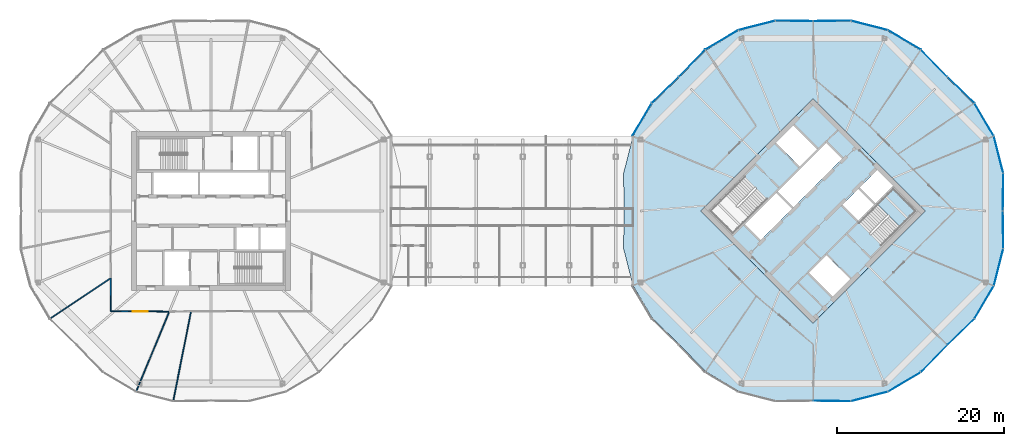
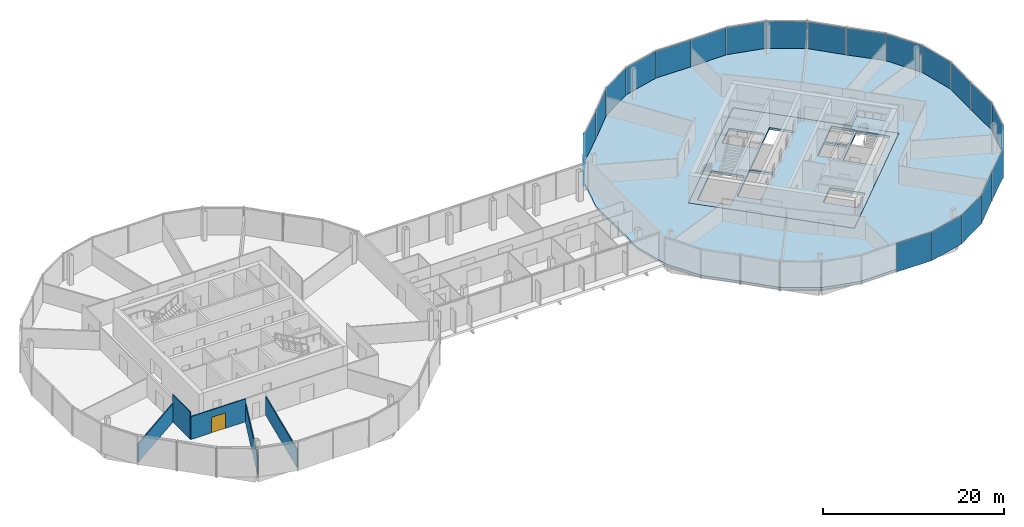
# One storey, part 18 of 25: 22 plates, 5 walls, 3 slabs, 1 door, 1 opening, 7 elements without a shape of their own.
"""IFC4 building model written with IfcOpenShell, lengths in metres."""

from ifc_helpers import new_model, si_unit, direction, frame, frame_2d, origin, origin_2d, place, context, subcontext, project, spatial, polyline, rectangle, outline, extrude, material, layer, layer_set, type_object, element, fill, aggregate, save


model = new_model("IFC4")

# Units and contexts
model_context = context("Model", 3, precision=1e-05, world=origin(), true_north=direction((0.0, 1.0)))
body_context = subcontext(model_context, "Body", "Model", "MODEL_VIEW")
ifc_project = project(units=[si_unit("LENGTHUNIT", "METRE"), si_unit("AREAUNIT", "SQUARE_METRE"), si_unit("VOLUMEUNIT", "CUBIC_METRE"), si_unit("PLANEANGLEUNIT", "RADIAN"), si_unit("MASSUNIT", "GRAM", prefix="KILO")], contexts=[model_context])

# Site, building, storey
site_placement = place(None, origin())
site = spatial("IfcSite", under=ifc_project, at=site_placement, CompositionType="ELEMENT")
building_placement = place(site_placement, origin())
building = spatial("IfcBuilding", under=site, at=building_placement, Name="Ogive Gate Towers", CompositionType="ELEMENT")
storey_placement = place(building_placement, frame((0.0, 0.0, 144.800048828125)))
storey = spatial("IfcBuildingStorey", under=building, at=storey_placement, Name="L34", CompositionType="ELEMENT", Elevation=144.800048828125)

# Slabs
ifc_material_1 = material(Name="Concrete C40/50", Category="concrete")
ifc_layer_1 = layer(ifc_material_1, 0.300048828125)
ifc_layer_set_1 = layer_set([ifc_layer_1], Name="Core slab C40/50 300 mm")
slab_type_1 = type_object("IfcSlabType", Name="Core slab C40/50 300 mm", PredefinedType="FLOOR", material=ifc_layer_set_1)
slab_1_placement = place(storey_placement, frame((0.0, 0.0, -0.300048828125)))
element("IfcSlab", 1, at=slab_1_placement, inside=storey, type_object=slab_type_1, Name="T2 L34 core slab", PredefinedType="FLOOR", context=body_context, shape_type="SweptSolid", body=[
    extrude(outline(polyline([(36.0, -13.43505859375), (22.56494140625, 0.0), (36.0, 13.43505859375), (49.43505859375, 0.0), (36.0, -13.43505859375)]), holes=[polyline([(29.759765625, -3.482421875), (33.50732421875, 0.26513671875), (31.615966796875, 2.15673828125), (27.868408203125, -1.591064453125), (29.759765625, -3.482421875)]), polyline([(31.792724609375, 2.33349609375), (33.68408203125, 0.44189453125), (39.482421875, 6.240234375), (37.591064453125, 8.131591796875), (31.792724609375, 2.33349609375)]), polyline([(41.3916015625, 2.634033203125), (39.517822265625, 0.760009765625), (41.409423828125, -1.13134765625), (43.283203125, 0.742431640625), (41.3916015625, 2.634033203125)]), polyline([(45.563720703125, 3.02294921875), (43.672119140625, 4.914306640625), (41.568603515625, 2.810791015625), (43.4599609375, 0.919189453125), (45.563720703125, 3.02294921875)]), polyline([(34.408935546875, 5.30322265625), (36.4951171875, 7.389404296875), (33.64892578125, 10.2353515625), (31.56298828125, 8.1494140625), (34.408935546875, 5.30322265625)]), polyline([(35.5048828125, -7.389404296875), (38.35107421875, -10.2353515625), (40.43701171875, -8.1494140625), (37.591064453125, -5.30322265625), (35.5048828125, -7.389404296875)]), polyline([(26.40087890625, -2.70458984375), (30.512939453125, 1.406982421875), (27.80810546875, 4.11181640625), (23.6962890625, 0.0), (26.40087890625, -2.70458984375)]), polyline([(48.3037109375, 0.0), (45.59912109375, 2.70458984375), (41.487060546875, -1.406982421875), (44.19189453125, -4.11181640625), (48.3037109375, 0.0)])]), origin(), (0.0, 0.0, 1.0), 0.300048828125),
])
ifc_material_2 = material(Name="Concrete C35/45", Category="concrete")
ifc_layer_2 = layer(ifc_material_2, 0.300048828125)
ifc_layer_set_2 = layer_set([ifc_layer_2], Name="Floor slab 300")
slab_type_2 = type_object("IfcSlabType", Name="Floor slab 300", PredefinedType="FLOOR", material=ifc_layer_set_2)
slab_2_placement = place(storey_placement, frame((0.0, 0.0, -0.300048828125)))
element("IfcSlab", 2, at=slab_2_placement, inside=storey, type_object=slab_type_2, Name="T2/L34/SSL001", PredefinedType="FLOOR", context=body_context, shape_type="SweptSolid", body=[
    extrude(outline(polyline([(58.65625, -4.506591796875), (58.60009765625, 0.0), (58.65625, 4.506591796875), (57.5263671875, 8.91650390625), (55.20703125, 12.833740234375), (51.980712890625, 15.980712890625), (48.833740234375, 19.20703125), (44.91650390625, 21.5263671875), (40.506591796875, 22.65625), (36.0, 22.60009765625), (31.493408203125, 22.65625), (27.08349609375, 21.5263671875), (23.166259765625, 19.20703125), (20.019287109375, 15.980712890625), (16.79296875, 12.833740234375), (14.4736328125, 8.91650390625), (13.34375, 4.506591796875), (13.39990234375, 0.0), (13.34375, -4.506591796875), (14.4736328125, -8.91650390625), (16.79296875, -12.833740234375), (20.019287109375, -15.980712890625), (23.166259765625, -19.20703125), (27.08349609375, -21.5263671875), (31.493408203125, -22.65625), (36.0, -22.60009765625), (40.506591796875, -22.65625), (44.91650390625, -21.5263671875), (48.833740234375, -19.20703125), (51.980712890625, -15.980712890625), (55.20703125, -12.833740234375), (57.5263671875, -8.91650390625), (58.65625, -4.506591796875)]), holes=[polyline([(49.43505859375, 0.0), (36.0, -13.43505859375), (22.56494140625, 0.0), (36.0, 13.43505859375), (49.43505859375, 0.0)])]), origin(), (0.0, 0.0, 1.0), 0.300048828125),
])

# Stair, slab
stair_type = type_object("IfcStairType", Name="Escape stair 1840 wide", PredefinedType="HALF_TURN_STAIR", material=ifc_material_1)
stair_placement = place(storey_placement, origin())
stair = element("IfcStair", 3, at=stair_placement, inside=storey, type_object=stair_type, Name="L34 Escape stair 2", PredefinedType="HALF_TURN_STAIR")
ifc_layer_3 = layer(ifc_material_1, 0.199951171875)
ifc_layer_set_3 = layer_set([ifc_layer_3], Name="Stair landing 200 mm")
slab_type_3 = type_object("IfcSlabType", Name="Stair landing 200 mm", PredefinedType="LANDING", material=ifc_layer_set_3)
slab_3_placement = place(storey_placement, frame((0.0, 0.0, 1.800048828125)))
slab_3 = element("IfcSlab", 4, at=slab_3_placement, type_object=slab_type_3, Name="ST2 landing 1", PredefinedType="LANDING", context=body_context, shape_type="SweptSolid", body=[
    extrude(outline(polyline([(46.413818359375, -1.8896484375), (48.3037109375, 0.0), (45.598876953125, 2.70458984375), (43.709228515625, 0.81494140625), (46.413818359375, -1.8896484375)])), origin(), (0.0, 0.0, 1.0), 0.199951171875),
])
aggregate(stair, [slab_3])

# Curtain wall, plates
ifc_material_3 = material(Name="Pale metal aluminium", Category="aluminium")
curtain_wall_type = type_object("IfcCurtainWallType", Name="Tower unitised wall, high zone", PredefinedType="NOTDEFINED", material=ifc_material_3)
curtain_wall_1_placement = place(storey_placement, origin())
curtain_wall_1 = element("IfcCurtainWall", 5, at=curtain_wall_1_placement, inside=storey, type_object=curtain_wall_type, Name="CW2 T2 ECW01", PredefinedType="NOTDEFINED")
ifc_material_4 = material(Name="Clear glass", Category="glass")
ifc_layer_4 = layer(ifc_material_4, 0.028076171875)
ifc_layer_set_4 = layer_set([ifc_layer_4], Name="Tower unitised wall, high zone glass panel")
plate_type = type_object("IfcPlateType", Name="Tower unitised wall, high zone glass panel", PredefinedType="CURTAIN_PANEL", material=ifc_layer_set_4)
plate_1_placement = place(storey_placement, frame((58.72802734375, 2.25732421875, -0.30029296875), z_axis=(0.0, 0.0, 1.0), x_axis=(0.012461328328, 0.999922354634, 0.0)))
plate_1 = element("IfcPlate", 6, at=plate_1_placement, type_object=plate_type, Name="CW2 glass panel", PredefinedType="CURTAIN_PANEL", context=body_context, shape_type="SweptSolid", body=[
    extrude(rectangle(XDim=4.461181640625, YDim=0.028076171875, at=origin_2d()), origin(), (0.0, 0.0, 1.0), 3.904052734375),
])
plate_2_placement = place(storey_placement, frame((58.18798828125, 6.73681640625, -0.30029296875), z_axis=(0.0, 0.0, 1.0), x_axis=(-0.248165796868, 0.96871757353, 0.0)))
plate_2 = element("IfcPlate", 7, at=plate_2_placement, type_object=plate_type, Name="CW2 glass panel", PredefinedType="CURTAIN_PANEL", context=body_context, shape_type="SweptSolid", body=[
    extrude(rectangle(XDim=4.51806640625, YDim=0.028076171875, at=origin_2d()), origin(), (0.0, 0.0, 1.0), 3.904052734375),
])
plate_3_placement = place(storey_placement, frame((56.452880859375, 10.92578125, -0.30029296875), z_axis=(0.0, 0.0, 1.0), x_axis=(-0.509507047474, 0.860466483121, 0.0)))
plate_3 = element("IfcPlate", 8, at=plate_3_placement, type_object=plate_type, Name="CW2 glass panel", PredefinedType="CURTAIN_PANEL", context=body_context, shape_type="SweptSolid", body=[
    extrude(rectangle(XDim=4.51806640625, YDim=0.028076171875, at=origin_2d()), origin(), (0.0, 0.0, 1.0), 3.904052734375),
])
plate_4_placement = place(storey_placement, frame((53.66748046875, 14.47509765625, -0.30029296875), z_axis=(0.0, 0.0, 1.0), x_axis=(-0.715863367385, 0.698240387858, 0.0)))
plate_4 = element("IfcPlate", 9, at=plate_4_placement, type_object=plate_type, Name="CW2 glass panel", PredefinedType="CURTAIN_PANEL", context=body_context, shape_type="SweptSolid", body=[
    extrude(rectangle(XDim=4.461181640625, YDim=0.028076171875, at=origin_2d()), origin(), (0.0, 0.0, 1.0), 3.904052734375),
])
aggregate(curtain_wall_1, [plate_1, plate_2, plate_3, plate_4])

curtain_wall_2_placement = place(storey_placement, origin())
curtain_wall_2 = element("IfcCurtainWall", 10, at=curtain_wall_2_placement, inside=storey, type_object=curtain_wall_type, Name="CW2 T2 ECW02", PredefinedType="NOTDEFINED")
plate_5_placement = place(storey_placement, frame((50.47509765625, 17.66748046875, -0.30029296875), z_axis=(0.0, 0.0, 1.0), x_axis=(-0.698240387858, 0.715863367385, 0.0)))
plate_5 = element("IfcPlate", 11, at=plate_5_placement, type_object=plate_type, Name="CW2 glass panel", PredefinedType="CURTAIN_PANEL", context=body_context, shape_type="SweptSolid", body=[
    extrude(rectangle(XDim=4.461181640625, YDim=0.028076171875, at=origin_2d()), origin(), (0.0, 0.0, 1.0), 3.904052734375),
])
plate_6_placement = place(storey_placement, frame((46.92578125, 20.452880859375, -0.30029296875), z_axis=(0.0, 0.0, 1.0), x_axis=(-0.860466483121, 0.509507047474, 0.0)))
plate_6 = element("IfcPlate", 12, at=plate_6_placement, type_object=plate_type, Name="CW2 glass panel", PredefinedType="CURTAIN_PANEL", context=body_context, shape_type="SweptSolid", body=[
    extrude(rectangle(XDim=4.51806640625, YDim=0.028076171875, at=origin_2d()), origin(), (0.0, 0.0, 1.0), 3.904052734375),
])
plate_7_placement = place(storey_placement, frame((42.73681640625, 22.18798828125, -0.30029296875), z_axis=(0.0, 0.0, 1.0), x_axis=(-0.96871757353, 0.248165796868, 0.0)))
plate_7 = element("IfcPlate", 13, at=plate_7_placement, type_object=plate_type, Name="CW2 glass panel", PredefinedType="CURTAIN_PANEL", context=body_context, shape_type="SweptSolid", body=[
    extrude(rectangle(XDim=4.51806640625, YDim=0.028076171875, at=origin_2d()), origin(), (0.0, 0.0, 1.0), 3.904052734375),
])
plate_8_placement = place(storey_placement, frame((38.25732421875, 22.72802734375, -0.30029296875), z_axis=(0.0, 0.0, 1.0), x_axis=(-0.999922354634, -0.012461328328, 0.0)))
plate_8 = element("IfcPlate", 14, at=plate_8_placement, type_object=plate_type, Name="CW2 glass panel", PredefinedType="CURTAIN_PANEL", context=body_context, shape_type="SweptSolid", body=[
    extrude(rectangle(XDim=4.461181640625, YDim=0.028076171875, at=origin_2d()), origin(), (0.0, 0.0, 1.0), 3.904052734375),
])
aggregate(curtain_wall_2, [plate_5, plate_6, plate_7, plate_8])

curtain_wall_3_placement = place(storey_placement, origin())
curtain_wall_3 = element("IfcCurtainWall", 15, at=curtain_wall_3_placement, inside=storey, type_object=curtain_wall_type, Name="CW2 T2 ECW03", PredefinedType="NOTDEFINED")
plate_9_placement = place(storey_placement, frame((33.74267578125, 22.72802734375, -0.30029296875), z_axis=(0.0, 0.0, 1.0), x_axis=(-0.999922354634, 0.012461328328, 0.0)))
plate_9 = element("IfcPlate", 16, at=plate_9_placement, type_object=plate_type, Name="CW2 glass panel", PredefinedType="CURTAIN_PANEL", context=body_context, shape_type="SweptSolid", body=[
    extrude(rectangle(XDim=4.461181640625, YDim=0.028076171875, at=origin_2d()), origin(), (0.0, 0.0, 1.0), 3.904052734375),
])
plate_10_placement = place(storey_placement, frame((29.26318359375, 22.18798828125, -0.30029296875), z_axis=(0.0, 0.0, 1.0), x_axis=(-0.96871757353, -0.248165796868, 0.0)))
plate_10 = element("IfcPlate", 17, at=plate_10_placement, type_object=plate_type, Name="CW2 glass panel", PredefinedType="CURTAIN_PANEL", context=body_context, shape_type="SweptSolid", body=[
    extrude(rectangle(XDim=4.51806640625, YDim=0.028076171875, at=origin_2d()), origin(), (0.0, 0.0, 1.0), 3.904052734375),
])
plate_11_placement = place(storey_placement, frame((25.07421875, 20.452880859375, -0.30029296875), z_axis=(0.0, 0.0, 1.0), x_axis=(-0.860466483121, -0.509507047474, 0.0)))
plate_11 = element("IfcPlate", 18, at=plate_11_placement, type_object=plate_type, Name="CW2 glass panel", PredefinedType="CURTAIN_PANEL", context=body_context, shape_type="SweptSolid", body=[
    extrude(rectangle(XDim=4.51806640625, YDim=0.028076171875, at=origin_2d()), origin(), (0.0, 0.0, 1.0), 3.904052734375),
])
plate_12_placement = place(storey_placement, frame((21.52490234375, 17.66748046875, -0.30029296875), z_axis=(0.0, 0.0, 1.0), x_axis=(-0.698240387858, -0.715863367385, 0.0)))
plate_12 = element("IfcPlate", 19, at=plate_12_placement, type_object=plate_type, Name="CW2 glass panel", PredefinedType="CURTAIN_PANEL", context=body_context, shape_type="SweptSolid", body=[
    extrude(rectangle(XDim=4.461181640625, YDim=0.028076171875, at=origin_2d()), origin(), (0.0, 0.0, 1.0), 3.904052734375),
])
aggregate(curtain_wall_3, [plate_9, plate_10, plate_11, plate_12])

curtain_wall_4_placement = place(storey_placement, origin())
curtain_wall_4 = element("IfcCurtainWall", 20, at=curtain_wall_4_placement, inside=storey, type_object=curtain_wall_type, Name="CW2 T2 ECW04", PredefinedType="NOTDEFINED")
plate_13_placement = place(storey_placement, frame((18.33251953125, 14.47509765625, -0.30029296875), z_axis=(0.0, 0.0, 1.0), x_axis=(-0.715863367385, -0.698240387858, 0.0)))
plate_13 = element("IfcPlate", 21, at=plate_13_placement, type_object=plate_type, Name="CW2 glass panel", PredefinedType="CURTAIN_PANEL", context=body_context, shape_type="SweptSolid", body=[
    extrude(rectangle(XDim=4.461181640625, YDim=0.028076171875, at=origin_2d()), origin(), (0.0, 0.0, 1.0), 3.904052734375),
])
plate_14_placement = place(storey_placement, frame((15.546142578125, 10.923828125, -0.30029296875), z_axis=(0.0, 0.0, 1.0), x_axis=(-0.509507047474, -0.860466483121, 0.0)))
plate_14 = element("IfcPlate", 22, at=plate_14_placement, type_object=plate_type, Name="CW2 glass panel", PredefinedType="CURTAIN_PANEL", context=body_context, shape_type="SweptSolid", body=[
    extrude(rectangle(XDim=4.52197265625, YDim=0.028076171875, at=origin_2d()), origin(), (0.0, 0.0, 1.0), 3.904052734375),
])
aggregate(curtain_wall_4, [plate_13, plate_14])

curtain_wall_5_placement = place(storey_placement, origin())
curtain_wall_5 = element("IfcCurtainWall", 23, at=curtain_wall_5_placement, inside=storey, type_object=curtain_wall_type, Name="CW2 T2 ECW07", PredefinedType="NOTDEFINED")
plate_15_placement = place(storey_placement, frame((38.25732421875, -22.72802734375, -0.30029296875), z_axis=(0.0, 0.0, 1.0), x_axis=(0.999922354634, -0.012461328328, 0.0)))
plate_15 = element("IfcPlate", 24, at=plate_15_placement, type_object=plate_type, Name="CW2 glass panel", PredefinedType="CURTAIN_PANEL", context=body_context, shape_type="SweptSolid", body=[
    extrude(rectangle(XDim=4.461181640625, YDim=0.028076171875, at=origin_2d()), origin(), (0.0, 0.0, 1.0), 3.904052734375),
])
plate_16_placement = place(storey_placement, frame((42.73681640625, -22.18798828125, -0.30029296875), z_axis=(0.0, 0.0, 1.0), x_axis=(0.96871757353, 0.248165796868, 0.0)))
plate_16 = element("IfcPlate", 25, at=plate_16_placement, type_object=plate_type, Name="CW2 glass panel", PredefinedType="CURTAIN_PANEL", context=body_context, shape_type="SweptSolid", body=[
    extrude(rectangle(XDim=4.51806640625, YDim=0.028076171875, at=origin_2d()), origin(), (0.0, 0.0, 1.0), 3.904052734375),
])
plate_17_placement = place(storey_placement, frame((46.92578125, -20.452880859375, -0.30029296875), z_axis=(0.0, 0.0, 1.0), x_axis=(0.860466483121, 0.509507047474, 0.0)))
plate_17 = element("IfcPlate", 26, at=plate_17_placement, type_object=plate_type, Name="CW2 glass panel", PredefinedType="CURTAIN_PANEL", context=body_context, shape_type="SweptSolid", body=[
    extrude(rectangle(XDim=4.51806640625, YDim=0.028076171875, at=origin_2d()), origin(), (0.0, 0.0, 1.0), 3.904052734375),
])
plate_18_placement = place(storey_placement, frame((50.47509765625, -17.66748046875, -0.30029296875), z_axis=(0.0, 0.0, 1.0), x_axis=(0.698240387858, 0.715863367385, 0.0)))
plate_18 = element("IfcPlate", 27, at=plate_18_placement, type_object=plate_type, Name="CW2 glass panel", PredefinedType="CURTAIN_PANEL", context=body_context, shape_type="SweptSolid", body=[
    extrude(rectangle(XDim=4.461181640625, YDim=0.028076171875, at=origin_2d()), origin(), (0.0, 0.0, 1.0), 3.904052734375),
])
aggregate(curtain_wall_5, [plate_15, plate_16, plate_17, plate_18])

curtain_wall_6_placement = place(storey_placement, origin())
curtain_wall_6 = element("IfcCurtainWall", 28, at=curtain_wall_6_placement, inside=storey, type_object=curtain_wall_type, Name="CW2 T2 ECW08", PredefinedType="NOTDEFINED")
plate_19_placement = place(storey_placement, frame((53.66748046875, -14.47509765625, -0.30029296875), z_axis=(0.0, 0.0, 1.0), x_axis=(0.715863367385, 0.698240387858, 0.0)))
plate_19 = element("IfcPlate", 29, at=plate_19_placement, type_object=plate_type, Name="CW2 glass panel", PredefinedType="CURTAIN_PANEL", context=body_context, shape_type="SweptSolid", body=[
    extrude(rectangle(XDim=4.461181640625, YDim=0.028076171875, at=origin_2d()), origin(), (0.0, 0.0, 1.0), 3.904052734375),
])
plate_20_placement = place(storey_placement, frame((56.452880859375, -10.92578125, -0.30029296875), z_axis=(0.0, 0.0, 1.0), x_axis=(0.509507047474, 0.860466483121, 0.0)))
plate_20 = element("IfcPlate", 30, at=plate_20_placement, type_object=plate_type, Name="CW2 glass panel", PredefinedType="CURTAIN_PANEL", context=body_context, shape_type="SweptSolid", body=[
    extrude(rectangle(XDim=4.51806640625, YDim=0.028076171875, at=origin_2d()), origin(), (0.0, 0.0, 1.0), 3.904052734375),
])
plate_21_placement = place(storey_placement, frame((58.18798828125, -6.73681640625, -0.30029296875), z_axis=(0.0, 0.0, 1.0), x_axis=(0.248165796868, 0.96871757353, 0.0)))
plate_21 = element("IfcPlate", 31, at=plate_21_placement, type_object=plate_type, Name="CW2 glass panel", PredefinedType="CURTAIN_PANEL", context=body_context, shape_type="SweptSolid", body=[
    extrude(rectangle(XDim=4.51806640625, YDim=0.028076171875, at=origin_2d()), origin(), (0.0, 0.0, 1.0), 3.904052734375),
])
plate_22_placement = place(storey_placement, frame((58.72802734375, -2.25732421875, -0.30029296875), z_axis=(0.0, 0.0, 1.0), x_axis=(-0.012461328328, 0.999922354634, 0.0)))
plate_22 = element("IfcPlate", 32, at=plate_22_placement, type_object=plate_type, Name="CW2 glass panel", PredefinedType="CURTAIN_PANEL", context=body_context, shape_type="SweptSolid", body=[
    extrude(rectangle(XDim=4.461181640625, YDim=0.028076171875, at=origin_2d()), origin(), (0.0, 0.0, 1.0), 3.904052734375),
])
aggregate(curtain_wall_6, [plate_19, plate_20, plate_21, plate_22])

# Walls
ifc_material_5 = material(Name="Gypsum board partition")
ifc_layer_5 = layer(ifc_material_5, 0.125)
ifc_layer_set_5 = layer_set([ifc_layer_5], Name="Partition 125")
wall_type = type_object("IfcWallType", Name="Partition 125", PredefinedType="PARTITIONING", material=ifc_layer_set_5)
wall_1_placement = place(storey_placement, frame((-55.2021484375, -12.83984375, 0.0), z_axis=(0.0, 0.0, 1.0), x_axis=(0.831273554657, 0.555863542002, 0.0)))
element("IfcWall", 33, at=wall_1_placement, inside=storey, type_object=wall_type, Name="Partition T1-L34-008", PredefinedType="PARTITIONING", context=body_context, shape_type="SweptSolid", body=[
    extrude(rectangle(XDim=8.616455078125, YDim=0.125, at=frame_2d((4.30810546875, 0.0))), origin(), (0.0, 0.0, 1.0), 2.5),
])
wall_2_placement = place(storey_placement, frame((-44.91650390625, -21.5263671875, 0.0), z_axis=(0.0, 0.0, 1.0), x_axis=(0.38268525721, 0.923878776634, 0.0)))
element("IfcWall", 34, at=wall_2_placement, inside=storey, type_object=wall_type, Name="Partition T1-L34-009", PredefinedType="PARTITIONING", context=body_context, shape_type="SweptSolid", body=[
    extrude(rectangle(XDim=10.21630859375, YDim=0.125, at=frame_2d((5.108154296875, 0.0))), origin(), (0.0, 0.0, 1.0), 2.5),
])
wall_3_placement = place(storey_placement, frame((-40.498779296875, -22.6572265625, 0.0), z_axis=(0.0, 0.0, 1.0), x_axis=(0.194744308846, 0.980854043256, 0.0)))
element("IfcWall", 35, at=wall_3_placement, inside=storey, type_object=wall_type, Name="Partition T1-L34-010", PredefinedType="PARTITIONING", context=body_context, shape_type="SweptSolid", body=[
    extrude(rectangle(XDim=10.81640625, YDim=0.125, at=frame_2d((5.408203125, 0.0))), origin(), (0.0, 0.0, 1.0), 2.5),
])

# Wall, opening, door
wall_4_placement = place(storey_placement, frame((-47.97998046875, -11.97998046875, 0.0), z_axis=(0.0, 0.0, 1.0), x_axis=(0.999974668467, -0.007117754095, 0.0)))
wall_4 = element("IfcWall", 36, at=wall_4_placement, inside=storey, type_object=wall_type, Name="Partition T1-L34-022", PredefinedType="PARTITIONING", context=body_context, shape_type="SweptSolid", body=[
    extrude(rectangle(XDim=6.997314453125, YDim=0.125, at=frame_2d((3.49853515625, 0.0))), origin(), (0.0, 0.0, 1.0), 3.099853515625),
])
opening_placement = place(wall_4_placement, frame((2.59912109375, 0.0, 0.0)))
opening = element("IfcOpeningElement", 37, at=opening_placement, cuts=wall_4, Name="Opening T1-L34-D08", PredefinedType="OPENING", context=body_context, shape_type="SweptSolid", body=[
    extrude(rectangle(XDim=1.800048828125, YDim=2.10009765625, at=frame_2d((0.89990234375, 1.050048828125))), frame((0.0, 0.072509765625, 0.0), z_axis=(0.0, -1.0, 0.0), x_axis=(1.0, 0.0, 0.0)), (0.0, 0.0, 1.0), 0.14501953125),
])
ifc_material_6 = material(Name="Timber door", Category="wood")
door_type = type_object("IfcDoorType", Name="Door pair 1800", OperationType="NOTDEFINED", PredefinedType="DOOR", material=ifc_material_6)
door_placement = place(opening_placement, origin())
door = element("IfcDoor", 38, at=door_placement, inside=storey, type_object=door_type, Name="Door T1-L34-D08", OperationType="DOUBLE_DOOR_DOUBLE_SWING", OverallHeight=2.10009765625, OverallWidth=1.800048828125, PredefinedType="DOOR", context=body_context, shape_type="SweptSolid", body=[
    extrude(rectangle(XDim=1.800048828125, YDim=2.10009765625, at=frame_2d((0.89990234375, 1.050048828125))), frame((0.0, 0.02490234375, 0.0), z_axis=(0.0, -1.0, 0.0), x_axis=(1.0, 0.0, 0.0)), (0.0, 0.0, 1.0), 0.050048828125),
])
fill(opening, door)

# Wall
wall_5_placement = place(storey_placement, frame((-47.987548828125, -8.015625, 0.0), z_axis=(0.0, 0.0, 1.0), x_axis=(0.001909098627, -0.99999817767, 0.0)))
element("IfcWall", 39, at=wall_5_placement, inside=storey, type_object=wall_type, Name="Partition T1-L34-023", PredefinedType="PARTITIONING", context=body_context, shape_type="SweptSolid", body=[
    extrude(rectangle(XDim=3.96435546875, YDim=0.125, at=frame_2d((1.982177734375, 0.0))), origin(), (0.0, 0.0, 1.0), 3.699951171875),
])

save(model, "model.ifc")
